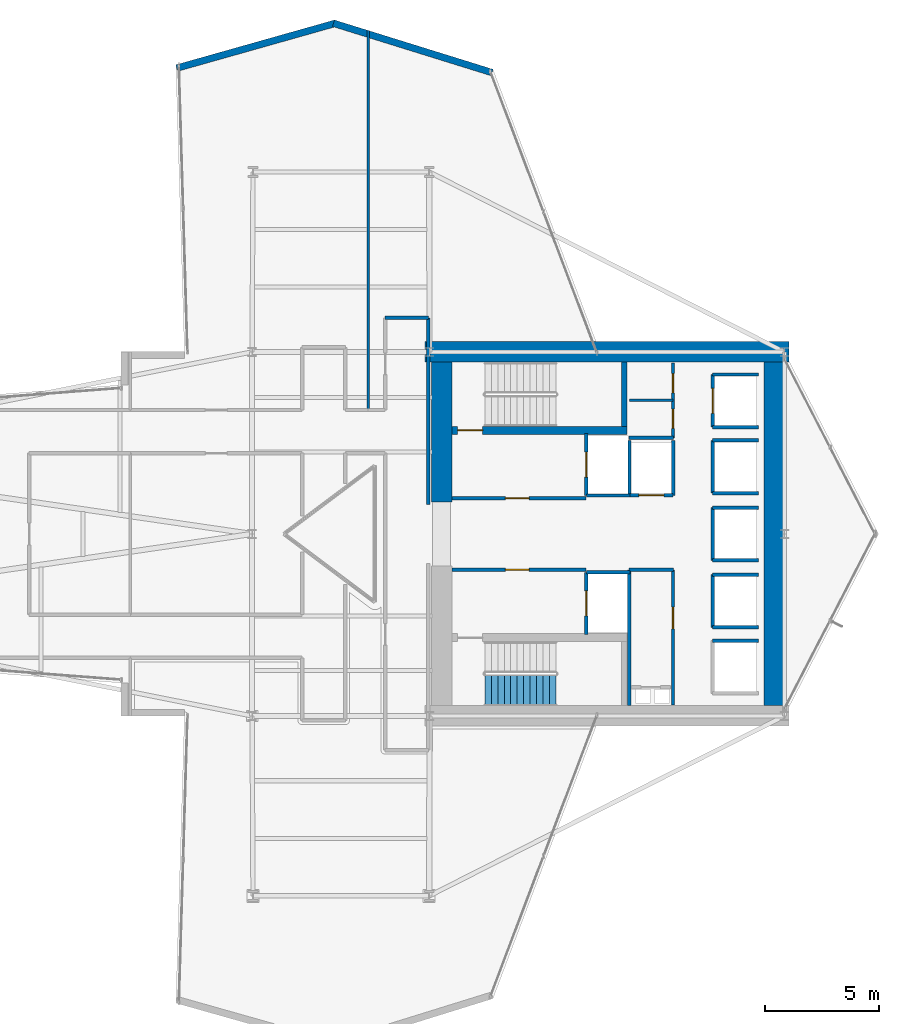
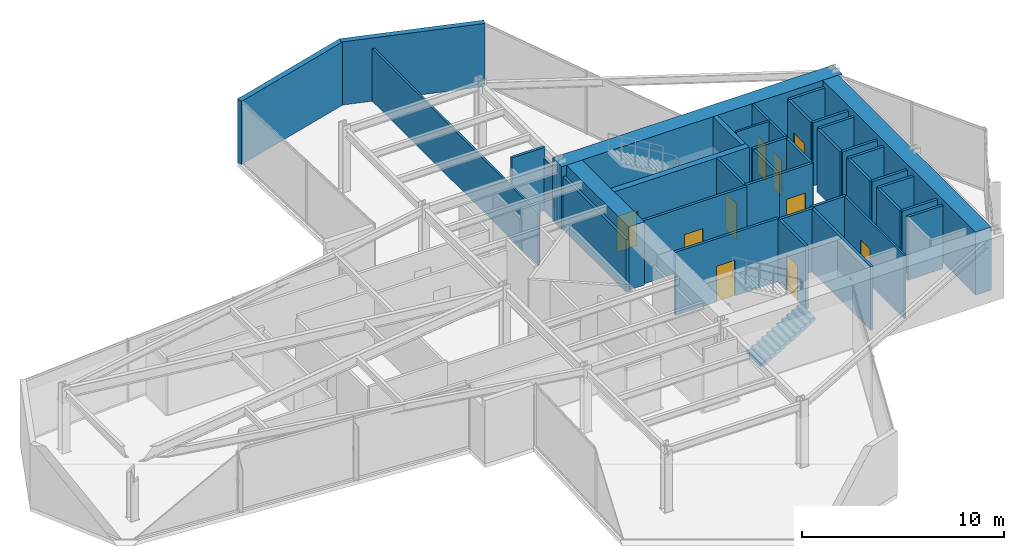
# One storey, part 27 of 30: 38 walls, 10 doors, 1 stair flight, 10 openings, 1 element without a shape of its own.
"""IFC4 building model written with IfcOpenShell, lengths in metres."""

from ifc_helpers import new_model, si_unit, direction, frame, frame_2d, origin, place, context, subcontext, project, spatial, polyline, rectangle, outline, extrude, material, layer, layer_set, type_object, element, fill, aggregate, save


model = new_model("IFC4")

# Units and contexts
model_context = context("Model", 3, precision=1e-05, world=origin(), true_north=direction((0.0, 1.0)))
body_context = subcontext(model_context, "Body", "Model", "MODEL_VIEW")
ifc_project = project(units=[si_unit("LENGTHUNIT", "METRE"), si_unit("AREAUNIT", "SQUARE_METRE"), si_unit("VOLUMEUNIT", "CUBIC_METRE"), si_unit("PLANEANGLEUNIT", "RADIAN"), si_unit("MASSUNIT", "GRAM", prefix="KILO")], contexts=[model_context])

# Site, building, storey
site_placement = place(None, origin())
site = spatial("IfcSite", under=ifc_project, at=site_placement, CompositionType="ELEMENT")
building_placement = place(site_placement, origin())
building = spatial("IfcBuilding", under=site, at=building_placement, Name="Veymaron Broadcast Tower", CompositionType="ELEMENT")
storey_placement = place(building_placement, frame((0.0, 0.0, 37.800048828125)))
storey = spatial("IfcBuildingStorey", under=building, at=storey_placement, Name="L07", CompositionType="ELEMENT", Elevation=37.800048828125)

# Walls
ifc_material_1 = material(Name="Precast concrete C40/50 with mineral-wool insulation", Category="concrete")
ifc_layer_1 = layer(ifc_material_1, 0.300048828125)
ifc_layer_set_1 = layer_set([ifc_layer_1], Name="Precast concrete C40/50 with mineral-wool insulation")
wall_type_1 = type_object("IfcWallType", Name="WALL-EXT-300", PredefinedType="STANDARD", material=ifc_layer_set_1)
wall_1_placement = place(storey_placement, frame((41.753173828125, 44.2802734375, 0.0), z_axis=(0.0, 0.0, 1.0), x_axis=(-0.954957033511, 0.296744105498, 0.0)))
element("IfcWall", 1, at=wall_1_placement, inside=storey, type_object=wall_type_1, Name="L07 notched corner facade pier 6-1", PredefinedType="STANDARD", context=body_context, shape_type="SweptSolid", body=[
    extrude(rectangle(XDim=7.302490234375, YDim=0.300048828125, at=frame_2d((3.6513671875, 0.0))), origin(), (0.0, 0.0, 1.0), 3.81005859375),
])
wall_2_placement = place(storey_placement, frame((34.859130859375, 46.4462890625, 0.0), z_axis=(0.0, 0.0, 1.0), x_axis=(-0.962339681863, -0.271849842212, 0.0)))
element("IfcWall", 2, at=wall_2_placement, inside=storey, type_object=wall_type_1, Name="L07 notched corner facade pier 7-1", PredefinedType="STANDARD", context=body_context, shape_type="SweptSolid", body=[
    extrude(rectangle(XDim=7.24658203125, YDim=0.300048828125, at=frame_2d((3.623291015625, 0.0))), origin(), (0.0, 0.0, 1.0), 3.81005859375),
])

# Wall, opening, door
ifc_material_2 = material(Name="Gypsum fireboard and steel stud framing", Category="steel")
ifc_layer_2 = layer(ifc_material_2, 0.14990234375)
ifc_layer_set_2 = layer_set([ifc_layer_2], Name="Gypsum fireboard and steel stud framing")
wall_type_2 = type_object("IfcWallType", Name="WALL-FIRE-150", PredefinedType="PARTITIONING", material=ifc_layer_set_2)
wall_3_placement = place(storey_placement, frame((39.97998046875, 25.574951171875, 0.0), z_axis=(0.0, 0.0, 1.0), x_axis=(1.0, 0.0, 0.0)))
wall_3 = element("IfcWall", 3, at=wall_3_placement, inside=storey, type_object=wall_type_2, Name="L07 partition IW-L07-FFLN-S", PredefinedType="PARTITIONING", context=body_context, shape_type="SweptSolid", body=[
    extrude(rectangle(XDim=5.89990234375, YDim=0.14990234375, at=frame_2d((2.949951171875, 0.0))), origin(), (0.0, 0.0, 1.0), 3.81005859375),
])
opening_1_placement = place(wall_3_placement, frame((2.35009765625, 0.0, 0.0)))
opening_1 = element("IfcOpeningElement", 4, at=opening_1_placement, cuts=wall_3, Name="Opening ID-FL1", PredefinedType="OPENING", context=body_context, shape_type="SweptSolid", body=[
    extrude(rectangle(XDim=1.050048828125, YDim=2.14990234375, at=frame_2d((0.52490234375, 1.074951171875))), frame((0.0, 0.0849609375, 0.0), z_axis=(0.0, -1.0, 0.0), x_axis=(1.0, 0.0, 0.0)), (0.0, 0.0, 1.0), 0.169921875),
])
ifc_material_3 = material(Name="Fire-rated painted hollow steel ASTM A653", Category="steel")
door_type_1 = type_object("IfcDoorType", Name="DOOR-FIRE-1050", OperationType="NOTDEFINED", PredefinedType="DOOR", material=ifc_material_3)
door_1_placement = place(opening_1_placement, origin())
door_1 = element("IfcDoor", 5, at=door_1_placement, inside=storey, type_object=door_type_1, Name="L07 door DR-L07-FFLN", OperationType="SINGLE_SWING_LEFT", OverallHeight=2.14990234375, OverallWidth=1.050048828125, PredefinedType="DOOR", context=body_context, shape_type="SweptSolid", body=[
    extrude(rectangle(XDim=1.050048828125, YDim=2.14990234375, at=frame_2d((0.52490234375, 1.074951171875))), frame((0.0, 0.02490234375, 0.0), z_axis=(0.0, -1.0, 0.0), x_axis=(1.0, 0.0, 0.0)), (0.0, 0.0, 1.0), 0.050048828125),
])
fill(opening_1, door_1)

wall_4_placement = place(storey_placement, frame((39.97998046875, 22.425048828125, 0.0), z_axis=(0.0, 0.0, 1.0), x_axis=(1.0, 0.0, 0.0)))
wall_4 = element("IfcWall", 6, at=wall_4_placement, inside=storey, type_object=wall_type_2, Name="L07 partition IW-L07-FFLS-N", PredefinedType="PARTITIONING", context=body_context, shape_type="SweptSolid", body=[
    extrude(rectangle(XDim=5.89990234375, YDim=0.14990234375, at=frame_2d((2.949951171875, 0.0))), origin(), (0.0, 0.0, 1.0), 3.81005859375),
])
opening_2_placement = place(wall_4_placement, frame((2.35009765625, 0.0, 0.0)))
opening_2 = element("IfcOpeningElement", 7, at=opening_2_placement, cuts=wall_4, Name="Opening ID-FL1", PredefinedType="OPENING", context=body_context, shape_type="SweptSolid", body=[
    extrude(rectangle(XDim=1.050048828125, YDim=2.14990234375, at=frame_2d((0.52490234375, 1.074951171875))), frame((0.0, 0.0849609375, 0.0), z_axis=(0.0, -1.0, 0.0), x_axis=(1.0, 0.0, 0.0)), (0.0, 0.0, 1.0), 0.169921875),
])
door_2_placement = place(opening_2_placement, frame((1.050048828125, 0.0, 0.0), z_axis=(0.0, 0.0, 1.0), x_axis=(-1.0, 0.0, 0.0)))
door_2 = element("IfcDoor", 8, at=door_2_placement, inside=storey, type_object=door_type_1, Name="L07 door DR-L07-FFLS", OperationType="SINGLE_SWING_RIGHT", OverallHeight=2.14990234375, OverallWidth=1.050048828125, PredefinedType="DOOR", context=body_context, shape_type="SweptSolid", body=[
    extrude(rectangle(XDim=1.050048828125, YDim=2.14990234375, at=frame_2d((0.52490234375, 1.074951171875))), frame((0.0, 0.02490234375, 0.0), z_axis=(0.0, -1.0, 0.0), x_axis=(1.0, 0.0, 0.0)), (0.0, 0.0, 1.0), 0.050048828125),
])
fill(opening_2, door_2)

wall_5_placement = place(storey_placement, frame((45.89501953125, 25.68994140625, 0.0), z_axis=(0.0, 0.0, 1.0), x_axis=(0.0, 1.0, 0.0)))
wall_5 = element("IfcWall", 9, at=wall_5_placement, inside=storey, type_object=wall_type_2, Name="L07 partition IW-L07-SHW-FFL-1", PredefinedType="PARTITIONING", context=body_context, shape_type="SweptSolid", body=[
    extrude(rectangle(XDim=2.719970703125, YDim=0.14990234375, at=frame_2d((1.35986328125, 0.0))), origin(), (0.0, 0.0, 1.0), 3.81005859375),
])
opening_3_placement = place(wall_5_placement, frame((0.81005859375, 0.0, 0.0)))
opening_3 = element("IfcOpeningElement", 10, at=opening_3_placement, cuts=wall_5, Name="Opening LD", PredefinedType="OPENING", context=body_context, shape_type="SweptSolid", body=[
    extrude(rectangle(XDim=1.10009765625, YDim=2.14990234375, at=frame_2d((0.550048828125, 1.074951171875))), frame((0.0, 0.0849609375, 0.0), z_axis=(0.0, -1.0, 0.0), x_axis=(1.0, 0.0, 0.0)), (0.0, 0.0, 1.0), 0.169921875),
])
ifc_material_4 = material(Name="Brushed stainless steel AISI 304", Category="steel")
door_type_2 = type_object("IfcDoorType", Name="DOOR-LIFT-1100", OperationType="DOUBLE_DOOR_SLIDING", PredefinedType="DOOR", material=ifc_material_4)
door_3_placement = place(opening_3_placement, frame((1.10009765625, 0.0, 0.0), z_axis=(0.0, 0.0, 1.0), x_axis=(-1.0, 0.0, 0.0)))
door_3 = element("IfcDoor", 11, at=door_3_placement, inside=storey, type_object=door_type_2, Name="L07 door LD-L07-FFL-1", OperationType="DOUBLE_DOOR_SLIDING", OverallHeight=2.14990234375, OverallWidth=1.10009765625, PredefinedType="DOOR", context=body_context, shape_type="SweptSolid", body=[
    extrude(rectangle(XDim=1.10009765625, YDim=2.14990234375, at=frame_2d((0.550048828125, 1.074951171875))), frame((0.0, 0.02490234375, 0.0), z_axis=(0.0, -1.0, 0.0), x_axis=(1.0, 0.0, 0.0)), (0.0, 0.0, 1.0), 0.050048828125),
])
fill(opening_3, door_3)

# Wall
wall_6_placement = place(storey_placement, frame((45.89501953125, 25.68994140625, 0.0), z_axis=(0.0, 0.0, 1.0), x_axis=(1.0, 0.0, 0.0)))
element("IfcWall", 12, at=wall_6_placement, inside=storey, type_object=wall_type_2, Name="L07 partition IW-L07-SHS-FFL-1", PredefinedType="PARTITIONING", context=body_context, shape_type="SweptSolid", body=[
    extrude(rectangle(XDim=1.9150390625, YDim=0.14990234375, at=frame_2d((0.95751953125, 0.0))), origin(), (0.0, 0.0, 1.0), 3.81005859375),
])

# Wall, opening, door
wall_7_placement = place(storey_placement, frame((45.89501953125, 19.590087890625, 0.0), z_axis=(0.0, 0.0, 1.0), x_axis=(0.0, 1.0, 0.0)))
wall_7 = element("IfcWall", 13, at=wall_7_placement, inside=storey, type_object=wall_type_2, Name="L07 partition IW-L07-SHW-FFL-2", PredefinedType="PARTITIONING", context=body_context, shape_type="SweptSolid", body=[
    extrude(rectangle(XDim=2.719970703125, YDim=0.14990234375, at=frame_2d((1.35986328125, 0.0))), origin(), (0.0, 0.0, 1.0), 3.81005859375),
])
opening_4_placement = place(wall_7_placement, frame((0.81005859375, 0.0, 0.0)))
opening_4 = element("IfcOpeningElement", 14, at=opening_4_placement, cuts=wall_7, Name="Opening LD", PredefinedType="OPENING", context=body_context, shape_type="SweptSolid", body=[
    extrude(rectangle(XDim=1.10009765625, YDim=2.14990234375, at=frame_2d((0.550048828125, 1.074951171875))), frame((0.0, 0.0849609375, 0.0), z_axis=(0.0, -1.0, 0.0), x_axis=(1.0, 0.0, 0.0)), (0.0, 0.0, 1.0), 0.169921875),
])
door_4_placement = place(opening_4_placement, frame((1.10009765625, 0.0, 0.0), z_axis=(0.0, 0.0, 1.0), x_axis=(-1.0, 0.0, 0.0)))
door_4 = element("IfcDoor", 15, at=door_4_placement, inside=storey, type_object=door_type_2, Name="L07 door LD-L07-FFL-2", OperationType="DOUBLE_DOOR_SLIDING", OverallHeight=2.14990234375, OverallWidth=1.10009765625, PredefinedType="DOOR", context=body_context, shape_type="SweptSolid", body=[
    extrude(rectangle(XDim=1.10009765625, YDim=2.14990234375, at=frame_2d((0.550048828125, 1.074951171875))), frame((0.0, 0.02490234375, 0.0), z_axis=(0.0, -1.0, 0.0), x_axis=(1.0, 0.0, 0.0)), (0.0, 0.0, 1.0), 0.050048828125),
])
fill(opening_4, door_4)

# Wall
wall_8_placement = place(storey_placement, frame((45.89501953125, 22.31005859375, 0.0), z_axis=(0.0, 0.0, 1.0), x_axis=(1.0, 0.0, 0.0)))
element("IfcWall", 16, at=wall_8_placement, inside=storey, type_object=wall_type_2, Name="L07 partition IW-L07-SHN-FFL-2", PredefinedType="PARTITIONING", context=body_context, shape_type="SweptSolid", body=[
    extrude(rectangle(XDim=1.9150390625, YDim=0.14990234375, at=frame_2d((0.95751953125, 0.0))), origin(), (0.0, 0.0, 1.0), 3.81005859375),
])

# Wall, opening, door
wall_9_placement = place(storey_placement, frame((47.7900390625, 25.695068359375, 0.0), z_axis=(0.0, 0.0, 1.0), x_axis=(1.0, 0.0, 0.0)))
wall_9 = element("IfcWall", 17, at=wall_9_placement, inside=storey, type_object=wall_type_2, Name="L07 partition IW-L07-SHS-SL-1", PredefinedType="PARTITIONING", context=body_context, shape_type="SweptSolid", body=[
    extrude(rectangle(XDim=1.919921875, YDim=0.14990234375, at=frame_2d((0.9599609375, 0.0))), origin(), (0.0, 0.0, 1.0), 3.81005859375),
])
opening_5_placement = place(wall_9_placement, frame((0.409912109375, 0.0, 0.0)))
opening_5 = element("IfcOpeningElement", 18, at=opening_5_placement, cuts=wall_9, Name="Opening LD", PredefinedType="OPENING", context=body_context, shape_type="SweptSolid", body=[
    extrude(rectangle(XDim=1.10009765625, YDim=2.14990234375, at=frame_2d((0.550048828125, 1.074951171875))), frame((0.0, 0.0849609375, 0.0), z_axis=(0.0, -1.0, 0.0), x_axis=(1.0, 0.0, 0.0)), (0.0, 0.0, 1.0), 0.169921875),
])
door_5_placement = place(opening_5_placement, frame((1.10009765625, 0.0, 0.0), z_axis=(0.0, 0.0, 1.0), x_axis=(-1.0, 0.0, 0.0)))
door_5 = element("IfcDoor", 19, at=door_5_placement, inside=storey, type_object=door_type_2, Name="L07 door LD-L07-SL-1", OperationType="DOUBLE_DOOR_SLIDING", OverallHeight=2.14990234375, OverallWidth=1.10009765625, PredefinedType="DOOR", context=body_context, shape_type="SweptSolid", body=[
    extrude(rectangle(XDim=1.10009765625, YDim=2.14990234375, at=frame_2d((0.550048828125, 1.074951171875))), frame((0.0, 0.02490234375, 0.0), z_axis=(0.0, -1.0, 0.0), x_axis=(1.0, 0.0, 0.0)), (0.0, 0.0, 1.0), 0.050048828125),
])
fill(opening_5, door_5)

# Walls
for number, where, z_axis, x_axis, name in (
    (20, (47.7900390625, 25.695068359375, 0.0), (0.0, 0.0, 1.0), (0.0, 1.0, 0.0), "L07 partition IW-L07-SHW-SL-1"),
    (21, (49.7099609375, 25.695068359375, 0.0), (0.0, 0.0, 1.0), (0.0, 1.0, 0.0), "L07 partition IW-L07-SHE-SL-1"),
):
    element("IfcWall", number, at=place(storey_placement, frame(where, z_axis=z_axis, x_axis=x_axis)), inside=storey, type_object=wall_type_2, Name=name, PredefinedType="PARTITIONING", context=body_context, shape_type="SweptSolid", body=[
        extrude(rectangle(XDim=2.4150390625, YDim=0.14990234375, at=frame_2d((1.20751953125, 0.0))), origin(), (0.0, 0.0, 1.0), 3.81005859375),
    ])

# Wall, opening, door
wall_10_placement = place(storey_placement, frame((51.445068359375, 28.68994140625, 0.0), z_axis=(0.0, 0.0, 1.0), x_axis=(0.0, 1.0, 0.0)))
wall_10 = element("IfcWall", 22, at=wall_10_placement, inside=storey, type_object=wall_type_2, Name="L07 partition IW-L07-SHW-PL1", PredefinedType="PARTITIONING", context=body_context, shape_type="SweptSolid", body=[
    extrude(rectangle(XDim=2.320068359375, YDim=0.14990234375, at=frame_2d((1.16015625, 0.0))), origin(), (0.0, 0.0, 1.0), 3.81005859375),
])
opening_6_placement = place(wall_10_placement, frame((0.610107421875, 0.0, 0.0)))
opening_6 = element("IfcOpeningElement", 23, at=opening_6_placement, cuts=wall_10, Name="Opening LD", PredefinedType="OPENING", context=body_context, shape_type="SweptSolid", body=[
    extrude(rectangle(XDim=1.10009765625, YDim=2.14990234375, at=frame_2d((0.550048828125, 1.074951171875))), frame((0.0, 0.0849609375, 0.0), z_axis=(0.0, -1.0, 0.0), x_axis=(1.0, 0.0, 0.0)), (0.0, 0.0, 1.0), 0.169921875),
])
door_6_placement = place(opening_6_placement, frame((1.10009765625, 0.0, 0.0), z_axis=(0.0, 0.0, 1.0), x_axis=(-1.0, 0.0, 0.0)))
door_6 = element("IfcDoor", 24, at=door_6_placement, inside=storey, type_object=door_type_2, Name="L07 door LD-L07-PL1", OperationType="DOUBLE_DOOR_SLIDING", OverallHeight=2.14990234375, OverallWidth=1.10009765625, PredefinedType="DOOR", context=body_context, shape_type="SweptSolid", body=[
    extrude(rectangle(XDim=1.10009765625, YDim=2.14990234375, at=frame_2d((0.550048828125, 1.074951171875))), frame((0.0, 0.02490234375, 0.0), z_axis=(0.0, -1.0, 0.0), x_axis=(1.0, 0.0, 0.0)), (0.0, 0.0, 1.0), 0.050048828125),
])
fill(opening_6, door_6)

# Walls
for number, where, z_axis, x_axis, name in (
    (25, (51.445068359375, 28.68994140625, 0.0), (0.0, 0.0, 1.0), (1.0, 0.0, 0.0), "L07 partition IW-L07-SHS-PL1"),
    (26, (51.445068359375, 31.010009765625, 0.0), (0.0, 0.0, 1.0), (1.0, 0.0, 0.0), "L07 partition IW-L07-SHN-PL1"),
):
    element("IfcWall", number, at=place(storey_placement, frame(where, z_axis=z_axis, x_axis=x_axis)), inside=storey, type_object=wall_type_2, Name=name, PredefinedType="PARTITIONING", context=body_context, shape_type="SweptSolid", body=[
        extrude(rectangle(XDim=2.014892578125, YDim=0.14990234375, at=frame_2d((1.00732421875, 0.0))), origin(), (0.0, 0.0, 1.0), 3.81005859375),
    ])
wall_11_placement = place(storey_placement, frame((51.445068359375, 25.7900390625, 0.0), z_axis=(0.0, 0.0, 1.0), x_axis=(0.0, 1.0, 0.0)))
element("IfcWall", 27, at=wall_11_placement, inside=storey, type_object=wall_type_2, Name="L07 partition IW-L07-SHW-PM1", PredefinedType="PARTITIONING", context=body_context, shape_type="SweptSolid", body=[
    extrude(rectangle(XDim=2.320068359375, YDim=0.14990234375, at=frame_2d((1.16015625, 0.0))), origin(), (0.0, 0.0, 1.0), 3.81005859375),
])
for number, where, z_axis, x_axis, name in (
    (28, (51.445068359375, 25.7900390625, 0.0), (0.0, 0.0, 1.0), (1.0, 0.0, 0.0), "L07 partition IW-L07-SHS-PM1"),
    (29, (51.445068359375, 28.110107421875, 0.0), (0.0, 0.0, 1.0), (1.0, 0.0, 0.0), "L07 partition IW-L07-SHN-PM1"),
):
    element("IfcWall", number, at=place(storey_placement, frame(where, z_axis=z_axis, x_axis=x_axis)), inside=storey, type_object=wall_type_2, Name=name, PredefinedType="PARTITIONING", context=body_context, shape_type="SweptSolid", body=[
        extrude(rectangle(XDim=2.014892578125, YDim=0.14990234375, at=frame_2d((1.00732421875, 0.0))), origin(), (0.0, 0.0, 1.0), 3.81005859375),
    ])
wall_12_placement = place(storey_placement, frame((51.445068359375, 19.889892578125, 0.0), z_axis=(0.0, 0.0, 1.0), x_axis=(0.0, 1.0, 0.0)))
element("IfcWall", 30, at=wall_12_placement, inside=storey, type_object=wall_type_2, Name="L07 partition IW-L07-SHW-PM2", PredefinedType="PARTITIONING", context=body_context, shape_type="SweptSolid", body=[
    extrude(rectangle(XDim=2.320068359375, YDim=0.14990234375, at=frame_2d((1.16015625, 0.0))), origin(), (0.0, 0.0, 1.0), 3.81005859375),
])
for number, where, z_axis, x_axis, name in (
    (31, (51.445068359375, 19.889892578125, 0.0), (0.0, 0.0, 1.0), (1.0, 0.0, 0.0), "L07 partition IW-L07-SHS-PM2"),
    (32, (51.445068359375, 22.2099609375, 0.0), (0.0, 0.0, 1.0), (1.0, 0.0, 0.0), "L07 partition IW-L07-SHN-PM2"),
):
    element("IfcWall", number, at=place(storey_placement, frame(where, z_axis=z_axis, x_axis=x_axis)), inside=storey, type_object=wall_type_2, Name=name, PredefinedType="PARTITIONING", context=body_context, shape_type="SweptSolid", body=[
        extrude(rectangle(XDim=2.014892578125, YDim=0.14990234375, at=frame_2d((1.00732421875, 0.0))), origin(), (0.0, 0.0, 1.0), 3.81005859375),
    ])
wall_13_placement = place(storey_placement, frame((51.445068359375, 22.840087890625, 0.0), z_axis=(0.0, 0.0, 1.0), x_axis=(0.0, 1.0, 0.0)))
element("IfcWall", 33, at=wall_13_placement, inside=storey, type_object=wall_type_2, Name="L07 partition IW-L07-SHW-PM3", PredefinedType="PARTITIONING", context=body_context, shape_type="SweptSolid", body=[
    extrude(rectangle(XDim=2.31982421875, YDim=0.14990234375, at=frame_2d((1.159912109375, 0.0))), origin(), (0.0, 0.0, 1.0), 3.81005859375),
])
for number, where, z_axis, x_axis, name in (
    (34, (51.445068359375, 22.840087890625, 0.0), (0.0, 0.0, 1.0), (1.0, 0.0, 0.0), "L07 partition IW-L07-SHS-PM3"),
    (35, (51.445068359375, 25.159912109375, 0.0), (0.0, 0.0, 1.0), (1.0, 0.0, 0.0), "L07 partition IW-L07-SHN-PM3"),
    (36, (51.445068359375, 19.31005859375, 0.0), (0.0, 0.0, 1.0), (1.0, 0.0, 0.0), "L07 partition IW-L07-SHN-PH1"),
):
    element("IfcWall", number, at=place(storey_placement, frame(where, z_axis=z_axis, x_axis=x_axis)), inside=storey, type_object=wall_type_2, Name=name, PredefinedType="PARTITIONING", context=body_context, shape_type="SweptSolid", body=[
        extrude(rectangle(XDim=2.014892578125, YDim=0.14990234375, at=frame_2d((1.00732421875, 0.0))), origin(), (0.0, 0.0, 1.0), 3.81005859375),
    ])
wall_14_placement = place(storey_placement, frame((47.760009765625, 22.425048828125, 0.0), z_axis=(0.0, 0.0, 1.0), x_axis=(1.0, 0.0, 0.0)))
element("IfcWall", 37, at=wall_14_placement, inside=storey, type_object=wall_type_2, Name="L07 partition IW-L07-SM-N", PredefinedType="PARTITIONING", context=body_context, shape_type="SweptSolid", body=[
    extrude(rectangle(XDim=1.9599609375, YDim=0.14990234375, at=frame_2d((0.97998046875, 0.0))), origin(), (0.0, 0.0, 1.0), 3.81005859375),
])
wall_15_placement = place(storey_placement, frame((47.780029296875, 16.449951171875, 0.0), z_axis=(0.0, 0.0, 1.0), x_axis=(0.0, 1.0, 0.0)))
element("IfcWall", 38, at=wall_15_placement, inside=storey, type_object=wall_type_2, Name="L07 partition IW-L07-SM-W", PredefinedType="PARTITIONING", context=body_context, shape_type="SweptSolid", body=[
    extrude(rectangle(XDim=5.97509765625, YDim=0.14990234375, at=frame_2d((2.987548828125, 0.0))), origin(), (0.0, 0.0, 1.0), 3.81005859375),
])
wall_16_placement = place(storey_placement, frame((47.760009765625, 28.219970703125, 0.0), z_axis=(0.0, 0.0, 1.0), x_axis=(1.0, 0.0, 0.0)))
element("IfcWall", 39, at=wall_16_placement, inside=storey, type_object=wall_type_2, Name="L07 partition IW-L07-NM-S", PredefinedType="PARTITIONING", context=body_context, shape_type="SweptSolid", body=[
    extrude(rectangle(XDim=1.9599609375, YDim=0.14990234375, at=frame_2d((0.97998046875, 0.0))), origin(), (0.0, 0.0, 1.0), 3.81005859375),
])
wall_17_placement = place(storey_placement, frame((38.949951171875, 25.300048828125, 0.0), z_axis=(0.0, 0.0, 1.0), x_axis=(0.0, 1.0, 0.0)))
element("IfcWall", 40, at=wall_17_placement, inside=storey, type_object=wall_type_2, Name="L07 partition IW-L07-P29", PredefinedType="PARTITIONING", context=body_context, shape_type="SweptSolid", body=[
    extrude(rectangle(XDim=8.199951171875, YDim=0.14990234375, at=frame_2d((4.10009765625, 0.0))), origin(), (0.0, 0.0, 1.0), 3.180908203125),
])
wall_18_placement = place(storey_placement, frame((37.050048828125, 33.5, 0.0), z_axis=(0.0, 0.0, 1.0), x_axis=(1.0, 0.0, 0.0)))
element("IfcWall", 41, at=wall_18_placement, inside=storey, type_object=wall_type_2, Name="L07 partition IW-L07-P31", PredefinedType="PARTITIONING", context=body_context, shape_type="SweptSolid", body=[
    extrude(rectangle(XDim=1.89990234375, YDim=0.14990234375, at=frame_2d((0.949951171875, 0.0))), origin(), (0.0, 0.0, 1.0), 3.81005859375),
])

# Wall, opening, door
ifc_material_5 = material(Name="Acoustic gypsum board and galvanized stud", Category="gypsum")
ifc_layer_3 = layer(ifc_material_5, 0.1201171875)
ifc_layer_set_3 = layer_set([ifc_layer_3], Name="Acoustic gypsum board and galvanized stud")
wall_type_3 = type_object("IfcWallType", Name="WALL-PART-120", PredefinedType="PARTITIONING", material=ifc_layer_set_3)
wall_19_placement = place(storey_placement, frame((49.699951171875, 16.47998046875, 0.0), z_axis=(0.0, 0.0, 1.0), x_axis=(0.0, 1.0, 0.0)))
wall_19 = element("IfcWall", 42, at=wall_19_placement, inside=storey, type_object=wall_type_3, Name="L07 partition IW-L07-SM-E", PredefinedType="PARTITIONING", context=body_context, shape_type="SweptSolid", body=[
    extrude(rectangle(XDim=5.945068359375, YDim=0.1201171875, at=frame_2d((2.97265625, 0.0))), origin(), (0.0, 0.0, 1.0), 3.81005859375),
])
opening_7_placement = place(wall_19_placement, frame((3.35009765625, 0.0, 0.0)))
opening_7 = element("IfcOpeningElement", 43, at=opening_7_placement, cuts=wall_19, Name="Opening ID-RM1", PredefinedType="OPENING", context=body_context, shape_type="SweptSolid", body=[
    extrude(rectangle(XDim=0.949951171875, YDim=2.14990234375, at=frame_2d((0.47509765625, 1.074951171875))), frame((0.0, 0.070068359375, 0.0), z_axis=(0.0, -1.0, 0.0), x_axis=(1.0, 0.0, 0.0)), (0.0, 0.0, 1.0), 0.14013671875),
])
ifc_material_6 = material(Name="Acoustic solid-core European oak veneer timber", Category="wood")
door_type_3 = type_object("IfcDoorType", Name="DOOR-INT-950", OperationType="NOTDEFINED", PredefinedType="DOOR", material=ifc_material_6)
door_7_placement = place(opening_7_placement, frame((0.949951171875, 0.0, 0.0), z_axis=(0.0, 0.0, 1.0), x_axis=(-1.0, 0.0, 0.0)))
door_7 = element("IfcDoor", 44, at=door_7_placement, inside=storey, type_object=door_type_3, Name="L07 door DR-L07-AWC", OperationType="SINGLE_SWING_LEFT", OverallHeight=2.14990234375, OverallWidth=0.949951171875, PredefinedType="DOOR", context=body_context, shape_type="SweptSolid", body=[
    extrude(rectangle(XDim=0.949951171875, YDim=2.14990234375, at=frame_2d((0.47509765625, 1.074951171875))), frame((0.0, 0.02490234375, 0.0), z_axis=(0.0, -1.0, 0.0), x_axis=(1.0, 0.0, 0.0)), (0.0, 0.0, 1.0), 0.050048828125),
])
fill(opening_7, door_7)

# Wall
wall_20_placement = place(storey_placement, frame((47.780029296875, 29.8798828125, 0.0), z_axis=(0.0, 0.0, 1.0), x_axis=(1.0, 0.0, 0.0)))
element("IfcWall", 45, at=wall_20_placement, inside=storey, type_object=wall_type_3, Name="L07 partition IW-L07-NM-M", PredefinedType="PARTITIONING", context=body_context, shape_type="SweptSolid", body=[
    extrude(rectangle(XDim=1.919921875, YDim=0.1201171875, at=frame_2d((0.9599609375, 0.0))), origin(), (0.0, 0.0, 1.0), 3.81005859375),
])

# Wall, openings, doors
wall_21_placement = place(storey_placement, frame((49.699951171875, 28.219970703125, 0.0), z_axis=(0.0, 0.0, 1.0), x_axis=(0.0, 1.0, 0.0)))
wall_21 = element("IfcWall", 46, at=wall_21_placement, inside=storey, type_object=wall_type_3, Name="L07 partition IW-L07-NM-E", PredefinedType="PARTITIONING", context=body_context, shape_type="SweptSolid", body=[
    extrude(rectangle(XDim=3.300048828125, YDim=0.1201171875, at=frame_2d((1.64990234375, 0.0))), origin(), (0.0, 0.0, 1.0), 3.81005859375),
])
opening_8_placement = place(wall_21_placement, frame((0.419921875, 0.0, 0.0)))
opening_8 = element("IfcOpeningElement", 47, at=opening_8_placement, cuts=wall_21, Name="Opening ID-WC1", PredefinedType="OPENING", context=body_context, shape_type="SweptSolid", body=[
    extrude(rectangle(XDim=0.85009765625, YDim=2.14990234375, at=frame_2d((0.425048828125, 1.074951171875))), frame((0.0, 0.070068359375, 0.0), z_axis=(0.0, -1.0, 0.0), x_axis=(1.0, 0.0, 0.0)), (0.0, 0.0, 1.0), 0.14013671875),
])
opening_9_placement = place(wall_21_placement, frame((1.97998046875, 0.0, 0.0)))
opening_9 = element("IfcOpeningElement", 48, at=opening_9_placement, cuts=wall_21, Name="Opening ID-WC1", PredefinedType="OPENING", context=body_context, shape_type="SweptSolid", body=[
    extrude(rectangle(XDim=0.85009765625, YDim=2.14990234375, at=frame_2d((0.425048828125, 1.074951171875))), frame((0.0, 0.070068359375, 0.0), z_axis=(0.0, -1.0, 0.0), x_axis=(1.0, 0.0, 0.0)), (0.0, 0.0, 1.0), 0.14013671875),
])
ifc_material_7 = material(Name="Moisture-resistant high-pressure laminate timber", Category="wood")
door_type_4 = type_object("IfcDoorType", Name="DOOR-INT-850", OperationType="NOTDEFINED", PredefinedType="DOOR", material=ifc_material_7)
door_8_placement = place(opening_8_placement, frame((0.85009765625, 0.0, 0.0), z_axis=(0.0, 0.0, 1.0), x_axis=(-1.0, 0.0, 0.0)))
door_8 = element("IfcDoor", 49, at=door_8_placement, inside=storey, type_object=door_type_4, Name="L07 door DR-L07-NMA", OperationType="SINGLE_SWING_LEFT", OverallHeight=2.14990234375, OverallWidth=0.85009765625, PredefinedType="DOOR", context=body_context, shape_type="SweptSolid", body=[
    extrude(rectangle(XDim=0.85009765625, YDim=2.14990234375, at=frame_2d((0.425048828125, 1.074951171875))), frame((0.0, 0.02490234375, 0.0), z_axis=(0.0, -1.0, 0.0), x_axis=(1.0, 0.0, 0.0)), (0.0, 0.0, 1.0), 0.050048828125),
])
fill(opening_8, door_8)
door_9_placement = place(opening_9_placement, frame((0.85009765625, 0.0, 0.0), z_axis=(0.0, 0.0, 1.0), x_axis=(-1.0, 0.0, 0.0)))
door_9 = element("IfcDoor", 50, at=door_9_placement, inside=storey, type_object=door_type_4, Name="L07 door DR-L07-NMB", OperationType="SINGLE_SWING_RIGHT", OverallHeight=2.14990234375, OverallWidth=0.85009765625, PredefinedType="DOOR", context=body_context, shape_type="SweptSolid", body=[
    extrude(rectangle(XDim=0.85009765625, YDim=2.14990234375, at=frame_2d((0.425048828125, 1.074951171875))), frame((0.0, 0.02490234375, 0.0), z_axis=(0.0, -1.0, 0.0), x_axis=(1.0, 0.0, 0.0)), (0.0, 0.0, 1.0), 0.050048828125),
])
fill(opening_9, door_9)

# Walls
wall_22_placement = place(storey_placement, frame((36.303955078125, 29.449951171875, 0.0), z_axis=(0.0, 0.0, 1.0), x_axis=(0.0, 1.0, 0.0)))
element("IfcWall", 51, at=wall_22_placement, inside=storey, type_object=wall_type_3, Name="L07 partition IW-L07-P36", PredefinedType="PARTITIONING", context=body_context, shape_type="SweptSolid", body=[
    extrude(rectangle(XDim=16.670166015625, YDim=0.1201171875, at=frame_2d((8.3349609375, 0.0))), origin(), (0.0, 0.0, 1.0), 3.180908203125),
])
ifc_material_8 = material(Name="Concrete C50/60", Category="concrete")
ifc_layer_4 = layer(ifc_material_8, 0.25)
ifc_layer_set_4 = layer_set([ifc_layer_4], Name="Concrete C50/60")
wall_type_4 = type_object("IfcWallType", Name="WALL-SHEAR-250", PredefinedType="SHEAR", material=ifc_layer_set_4)
wall_23_placement = place(storey_placement, frame((47.56494140625, 28.72998046875, 0.0), z_axis=(0.0, 0.0, 1.0), x_axis=(0.0, 1.0, 0.0)))
element("IfcWall", 52, at=wall_23_placement, inside=storey, type_object=wall_type_4, Name="L07 Core Wall north stair east shear", PredefinedType="SHEAR", context=body_context, shape_type="SweptSolid", body=[
    extrude(rectangle(XDim=2.820068359375, YDim=0.25, at=frame_2d((1.41015625, 0.0))), origin(), (0.0, 0.0, 1.0), 3.81005859375),
])

# Wall, opening, door
ifc_layer_5 = layer(ifc_material_8, 0.35009765625)
ifc_layer_set_5 = layer_set([ifc_layer_5], Name="Concrete C50/60")
wall_type_5 = type_object("IfcWallType", Name="WALL-SHEAR-350", PredefinedType="SHEAR", material=ifc_layer_set_5)
wall_24_placement = place(storey_placement, frame((39.97998046875, 28.554931640625, 0.0), z_axis=(0.0, 0.0, 1.0), x_axis=(1.0, 0.0, 0.0)))
wall_24 = element("IfcWall", 53, at=wall_24_placement, inside=storey, type_object=wall_type_5, Name="L07 Core Wall north stair spine", PredefinedType="SHEAR", context=body_context, shape_type="SweptSolid", body=[
    extrude(rectangle(XDim=7.7099609375, YDim=0.35009765625, at=frame_2d((3.85498046875, 0.0))), origin(), (0.0, 0.0, 1.0), 3.81005859375),
])
opening_10_placement = place(wall_24_placement, frame((0.25, 0.0, 0.0)))
opening_10 = element("IfcOpeningElement", 54, at=opening_10_placement, cuts=wall_24, Name="Opening ID-ST1", PredefinedType="OPENING", context=body_context, shape_type="SweptSolid", body=[
    extrude(rectangle(XDim=1.10009765625, YDim=2.14990234375, at=frame_2d((0.550048828125, 1.074951171875))), frame((0.0, 0.18505859375, 0.0), z_axis=(0.0, -1.0, 0.0), x_axis=(1.0, 0.0, 0.0)), (0.0, 0.0, 1.0), 0.3701171875),
])
door_type_5 = type_object("IfcDoorType", Name="DOOR-STAIR-1100", OperationType="NOTDEFINED", PredefinedType="DOOR", material=ifc_material_3)
door_10_placement = place(opening_10_placement, origin())
door_10 = element("IfcDoor", 55, at=door_10_placement, inside=storey, type_object=door_type_5, Name="L07 exit stair ST1 fire door", OperationType="SINGLE_SWING_RIGHT", OverallHeight=2.14990234375, OverallWidth=1.10009765625, PredefinedType="DOOR", context=body_context, shape_type="SweptSolid", body=[
    extrude(rectangle(XDim=1.10009765625, YDim=2.14990234375, at=frame_2d((0.550048828125, 1.074951171875))), frame((0.0, 0.02490234375, 0.0), z_axis=(0.0, -1.0, 0.0), x_axis=(1.0, 0.0, 0.0)), (0.0, 0.0, 1.0), 0.050048828125),
])
fill(opening_10, door_10)

# Walls
ifc_material_9 = material(Name="Concrete C70/85", Category="concrete")
ifc_layer_6 = layer(ifc_material_9, 0.89990234375)
ifc_layer_set_6 = layer_set([ifc_layer_6], Name="Concrete C70/85")
wall_type_6 = type_object("IfcWallType", Name="WALL-SHEAR-900", PredefinedType="SHEAR", material=ifc_layer_set_6)
wall_25_placement = place(storey_placement, frame((38.800048828125, 32.0, 0.0), z_axis=(0.0, 0.0, 1.0), x_axis=(1.0, 0.0, 0.0)))
element("IfcWall", 56, at=wall_25_placement, inside=storey, type_object=wall_type_6, Name="L07 Core Wall north shear", PredefinedType="SHEAR", context=body_context, shape_type="SweptSolid", body=[
    extrude(rectangle(XDim=16.0, YDim=0.89990234375, at=frame_2d((8.0, 0.0))), origin(), (0.0, 0.0, 1.0), 3.81005859375),
])
wall_26_placement = place(storey_placement, frame((39.530029296875, 25.39990234375, 0.0), z_axis=(0.0, 0.0, 1.0), x_axis=(0.0, 1.0, 0.0)))
element("IfcWall", 57, at=wall_26_placement, inside=storey, type_object=wall_type_6, Name="L07 Core Wall west-north shear", PredefinedType="SHEAR", context=body_context, shape_type="SweptSolid", body=[
    extrude(rectangle(XDim=6.150146484375, YDim=0.89990234375, at=frame_2d((3.0751953125, 0.0))), origin(), (0.0, 0.0, 1.0), 3.81005859375),
])
wall_27_placement = place(storey_placement, frame((54.14990234375, 16.449951171875, 0.0), z_axis=(0.0, 0.0, 1.0), x_axis=(0.0, 1.0, 0.0)))
element("IfcWall", 58, at=wall_27_placement, inside=storey, type_object=wall_type_6, Name="L07 Core Wall east shear", PredefinedType="SHEAR", context=body_context, shape_type="SweptSolid", body=[
    extrude(rectangle(XDim=15.10009765625, YDim=0.89990234375, at=frame_2d((7.550048828125, 0.0))), origin(), (0.0, 0.0, 1.0), 3.81005859375),
])

# Stair, stair flight
stair_type = type_object("IfcStairType", Name="STAIR-CORE-2", PredefinedType="HALF_TURN_STAIR", material=ifc_material_8)
stair_placement = place(storey_placement, origin())
stair = element("IfcStair", 59, at=stair_placement, inside=storey, type_object=stair_type, Name="L07 South protected dog-leg exit stair ST2", PredefinedType="HALF_TURN_STAIR")
ifc_material_10 = material(Name="Precast concrete C50/60", Category="concrete")
stair_flight_type = type_object("IfcStairFlightType", Name="FLT-CORE-RC", PredefinedType="STRAIGHT", material=ifc_material_10)
stair_flight_placement = place(storey_placement, frame((41.429931640625, 17.139892578125, 0.0), z_axis=(0.0, 0.0, 1.0), x_axis=(1.0, 0.0, 0.0)))
stair_flight = element("IfcStairFlight", 60, at=stair_flight_placement, type_object=stair_flight_type, Name="ST2 flight 1", NumberOfRisers=12, NumberOfTreads=11, PredefinedType="STRAIGHT", RiserHeight=0.16875, TreadLength=0.285, context=body_context, shape_type="SweptSolid", body=[
    extrude(outline(polyline([(0.0, 0.0), (0.0, 0.168701171875), (0.284912109375, 0.168701171875), (0.284912109375, 0.33740234375), (0.570068359375, 0.33740234375), (0.570068359375, 0.50634765625), (0.85498046875, 0.50634765625), (0.85498046875, 0.675048828125), (1.139892578125, 0.675048828125), (1.139892578125, 0.84375), (1.425048828125, 0.84375), (1.425048828125, 1.012451171875), (1.7099609375, 1.012451171875), (1.7099609375, 1.18115234375), (1.9951171875, 1.18115234375), (1.9951171875, 1.35009765625), (2.280029296875, 1.35009765625), (2.280029296875, 1.518798828125), (2.56494140625, 1.518798828125), (2.56494140625, 1.6875), (2.85009765625, 1.6875), (2.85009765625, 1.856201171875), (3.135009765625, 1.856201171875), (3.135009765625, 2.02490234375), (3.135009765625, 1.68212890625), (0.294189453125, 0.0), (0.0, 0.0)])), frame((0.0, 0.68994140625, 0.0), z_axis=(0.0, -1.0, 0.0), x_axis=(1.0, 0.0, 0.0)), (0.0, 0.0, 1.0), 1.3798828125),
])
aggregate(stair, [stair_flight])

save(model, "model.ifc")
